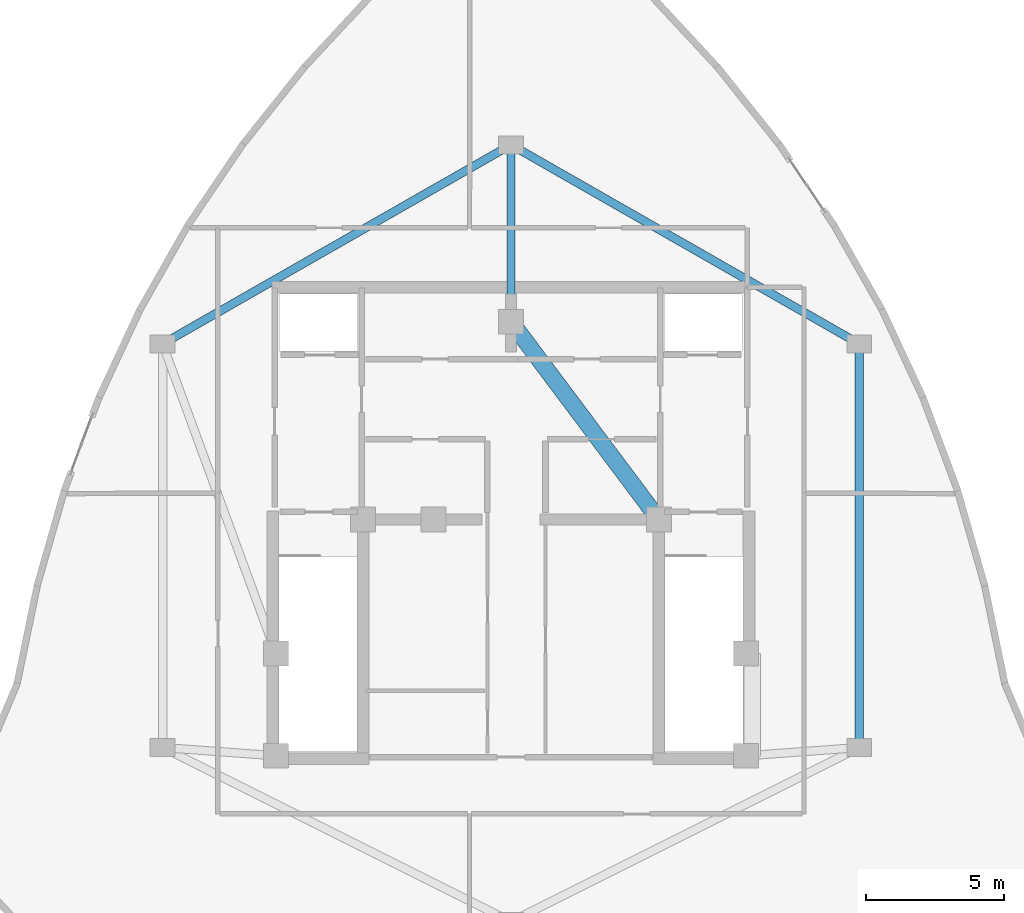
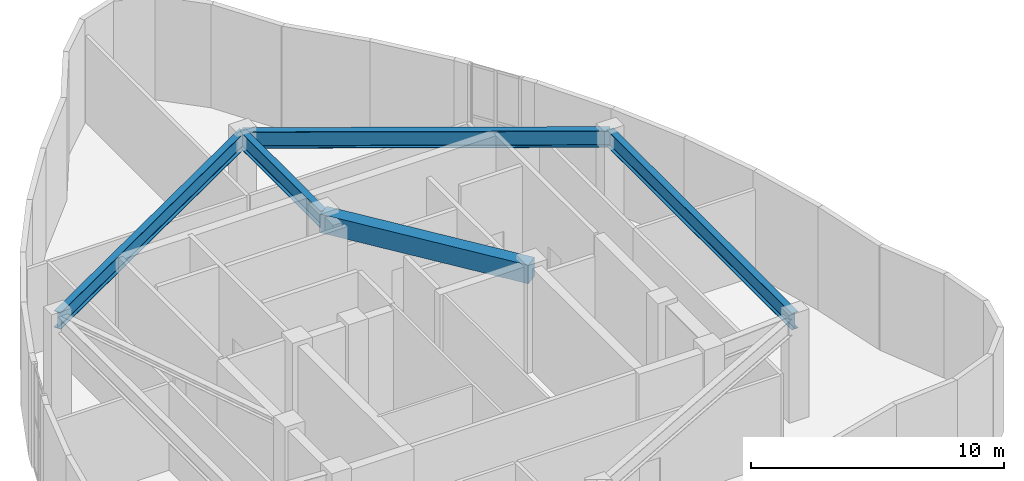
# One storey, part 7 of 12: 5 beams.
"""IFC4 building model written with IfcOpenShell, lengths in metres."""

import ifcopenshell
import ifcopenshell.guid

model = None  # the IFC model being written
_history = None  # IfcOwnerHistory: only IFC2X3 demands one
_inside = {}  # id of a spatial element -> (the spatial element, [elements in it])
_under = {}  # id of a project, library or spatial element -> (it, [spatial elements below it])
_declared = {}  # id of a project -> (the project, [libraries it declares])
_typed = {}  # id of a type object -> (the type object, [elements of that type])
_made_of = {}  # id of a material, layer set ... -> (it, [elements and type objects made of it])


def new_model(schema):
    """Start an empty IFC model of exactly this schema.

    Asked for "IFC4X3", IfcOpenShell would pick the latest addendum, in which some entities
    have other attributes; the version numbers below select the first issue.
    IFC2X3 requires an IfcOwnerHistory on every rooted entity: one is made here for all.
    """
    global model, _history
    if schema == "IFC4X3":
        model = ifcopenshell.file(schema_version=(4, 3, 0, 0))
    else:
        model = ifcopenshell.file(schema=schema)
    _inside.clear()
    _under.clear()
    _declared.clear()
    _typed.clear()
    _made_of.clear()
    _history = None
    if model.schema == "IFC2X3":
        org = make("IfcOrganization", Name="unknown")
        user = make(
            "IfcPersonAndOrganization",
            ThePerson=make("IfcPerson", FamilyName="unknown"),
            TheOrganization=org,
        )
        app = make(
            "IfcApplication",
            ApplicationDeveloper=org,
            Version="unknown",
            ApplicationFullName="unknown",
            ApplicationIdentifier="unknown",
        )
        _history = make(
            "IfcOwnerHistory",
            OwningUser=user,
            OwningApplication=app,
            ChangeAction="ADDED",
            CreationDate=0,
        )
    return model


def make(cls, **values):
    """One entity of the class cls with the attributes given. An attribute that is None is left unset."""
    return model.create_entity(
        cls, **{name: value for name, value in values.items() if value is not None}
    )


def rooted(cls, **values):
    """An entity with a GlobalId (a new one), such as an element, a storey or a relation."""
    return make(cls, GlobalId=ifcopenshell.guid.new(), OwnerHistory=_history, **values)


def si_unit(unit_type, name, prefix=None):
    """IfcSIUnit, for example si_unit("LENGTHUNIT", "METRE", prefix="MILLI")."""
    return make("IfcSIUnit", UnitType=unit_type, Prefix=prefix, Name=name)


def assignment(units):
    """IfcUnitAssignment: the units of a project."""
    return None if units is None else make("IfcUnitAssignment", Units=units)


def point(xyz):
    """IfcCartesianPoint."""
    return None if xyz is None else make("IfcCartesianPoint", Coordinates=xyz)


def direction(xyz):
    """IfcDirection."""
    return None if xyz is None else make("IfcDirection", DirectionRatios=xyz)


def frame(location, z_axis=None, x_axis=None):
    """IfcAxis2Placement3D, a coordinate frame: its origin and axes. An axis left out is left unset."""
    return make(
        "IfcAxis2Placement3D",
        Location=point(location),
        Axis=direction(z_axis),
        RefDirection=direction(x_axis),
    )


def frame_2d(location, x_axis=None):
    """IfcAxis2Placement2D, a coordinate frame in the plane: its origin and x axis."""
    return make(
        "IfcAxis2Placement2D", Location=point(location), RefDirection=direction(x_axis)
    )


def origin():
    """The frame at (0, 0, 0) with its axes left unset."""
    return frame((0.0, 0.0, 0.0))


def origin_2d():
    """The frame at (0, 0) in the plane with its x axis left unset."""
    return frame_2d((0.0, 0.0))


def place(relative_to, where):
    """IfcLocalPlacement: puts the frame where relative to a parent placement (None: the world)."""
    return make(
        "IfcLocalPlacement", PlacementRelTo=relative_to, RelativePlacement=where
    )


def context(
    kind, dimensions, precision=None, world=None, true_north=None, identifier=None
):
    """IfcGeometricRepresentationContext, for example the 3D "Model" context."""
    return make(
        "IfcGeometricRepresentationContext",
        ContextIdentifier=identifier,
        ContextType=kind,
        CoordinateSpaceDimension=dimensions,
        Precision=precision,
        WorldCoordinateSystem=world,
        TrueNorth=true_north,
    )


def subcontext(parent, identifier, kind, view, scale=None):
    """IfcGeometricRepresentationSubContext, for example "Body" below "Model"."""
    return make(
        "IfcGeometricRepresentationSubContext",
        ContextIdentifier=identifier,
        ContextType=kind,
        ParentContext=parent,
        TargetScale=scale,
        TargetView=view,
    )


def project(units=None, contexts=None):
    """IfcProject with its units and contexts."""
    return rooted(
        "IfcProject",
        Name="project",
        RepresentationContexts=contexts,
        UnitsInContext=assignment(units),
    )


def spatial(cls, under=None, at=None, **own):
    """A site, building, storey or space (cls), placed at a placement, below another one or the project."""
    s = rooted(cls, ObjectPlacement=at, **own)
    if under is not None:
        _under.setdefault(under.id(), (under, []))[1].append(s)
    return s


def profile(cls, at=None, kind="AREA", **sizes):
    """A parametric profile (cls). Its sizes go by their IFC names, for example OverallWidth=200.0."""
    return make(cls, ProfileType=kind, Position=at, **sizes)


def rectangle(**sizes):
    """IfcRectangleProfileDef."""
    return profile("IfcRectangleProfileDef", **sizes)


def i_section(**sizes):
    """IfcIShapeProfileDef."""
    return profile("IfcIShapeProfileDef", **sizes)


def extrude(swept, where, along, depth):
    """IfcExtrudedAreaSolid: the profile swept, set in the frame where, extruded along a direction by depth."""
    return make(
        "IfcExtrudedAreaSolid",
        SweptArea=swept,
        Position=where,
        ExtrudedDirection=direction(along),
        Depth=depth,
    )


def shape(context_of_items, identifier, shape_type, items):
    """IfcShapeRepresentation: the items that make up one representation, for example the "Body"."""
    return make(
        "IfcShapeRepresentation",
        ContextOfItems=context_of_items,
        RepresentationIdentifier=identifier,
        RepresentationType=shape_type,
        Items=items,
    )


def material(Name=None, Category=None):
    """IfcMaterial."""
    return make("IfcMaterial", Name=Name, Category=Category)


def material_profile(
    of_material, cross_section, Name=None, Category=None, Priority=None
):
    """IfcMaterialProfile: a cross section and its material."""
    return make(
        "IfcMaterialProfile",
        Name=Name,
        Material=of_material,
        Profile=cross_section,
        Priority=Priority,
        Category=Category,
    )


def profile_set(profiles, Name=None, composite=None):
    """IfcMaterialProfileSet."""
    return make(
        "IfcMaterialProfileSet",
        Name=Name,
        MaterialProfiles=profiles,
        CompositeProfile=composite,
    )


def made_of(thing, what):
    """Note that an element or type object is made of a material, layer set ...; save() writes the relation."""
    if what is not None:
        _made_of.setdefault(what.id(), (what, []))[1].append(thing)
    return thing


def type_object(cls, material=None, **own):
    """A type object (cls), such as IfcWallType, which elements share."""
    return made_of(rooted(cls, **own), material)


def element(
    cls,
    number,
    at=None,
    inside=None,
    cuts=None,
    type_object=None,
    material=None,
    context=None,
    identifier="Body",
    shape_type=None,
    held_by="IfcProductDefinitionShape",
    body=None,
    shapes=None,
    **own,
):
    """One element of the class cls, such as IfcWall. Its Tag is "e" and its number.

    at: its placement. inside: the storey or other place that contains it. cuts: it is an
    opening in that element (IfcRelVoidsElement). A single representation is given by context,
    identifier, shape_type and body (its items); several are given by shapes. held_by: the class
    of the entity that holds the representations. save() writes the other relations.
    """
    e = rooted(cls, Tag="e%d" % number, ObjectPlacement=at, **own)
    if body is not None:
        shapes = [shape(context, identifier, shape_type, body)]
    if shapes is not None:
        e.Representation = make(held_by, Representations=shapes)
    if inside is not None:
        _inside.setdefault(inside.id(), (inside, []))[1].append(e)
    if cuts is not None:
        rooted(
            "IfcRelVoidsElement", RelatingBuildingElement=cuts, RelatedOpeningElement=e
        )
    if type_object is not None:
        _typed.setdefault(type_object.id(), (type_object, []))[1].append(e)
    return made_of(e, material)


def aggregate(whole, parts):
    """IfcRelAggregates: a whole, such as a stair, and the parts it consists of."""
    return rooted("IfcRelAggregates", RelatingObject=whole, RelatedObjects=parts)


def save(model, path):
    """Write the relations noted so far, then the file.

    IfcRelAggregates (storeys below a building ...), IfcRelContainedInSpatialStructure (elements
    in a storey), IfcRelDefinesByType, IfcRelAssociatesMaterial and IfcRelDeclares: one each for
    every whole, place, type object, material and project.
    """
    for whole, parts in _under.values():
        aggregate(whole, parts)
    for where, things in _inside.values():
        rooted(
            "IfcRelContainedInSpatialStructure",
            RelatedElements=things,
            RelatingStructure=where,
        )
    for kind, things in _typed.values():
        rooted("IfcRelDefinesByType", RelatedObjects=things, RelatingType=kind)
    for what, things in _made_of.values():
        rooted("IfcRelAssociatesMaterial", RelatedObjects=things, RelatingMaterial=what)
    for by, libraries in _declared.values():
        rooted("IfcRelDeclares", RelatingContext=by, RelatedDefinitions=libraries)
    model.write(path)


model = new_model("IFC4")

# Units and contexts
model_context = context("Model", 3, precision=1e-05, world=origin(), true_north=direction((0.0, 1.0)))
body_context = subcontext(model_context, "Body", "Model", "MODEL_VIEW")
ifc_project = project(units=[si_unit("LENGTHUNIT", "METRE"), si_unit("AREAUNIT", "SQUARE_METRE"), si_unit("VOLUMEUNIT", "CUBIC_METRE"), si_unit("PLANEANGLEUNIT", "RADIAN"), si_unit("MASSUNIT", "GRAM", prefix="KILO")], contexts=[model_context])

# Site, building, storey
site_placement = place(None, origin())
site = spatial("IfcSite", under=ifc_project, at=site_placement, CompositionType="ELEMENT")
building_placement = place(site_placement, origin())
building = spatial("IfcBuilding", under=site, at=building_placement, Name="Miruveldt Soraemaru", CompositionType="ELEMENT")
storey_placement = place(building_placement, frame((0.0, 0.0, 312.800048828125)))
storey = spatial("IfcBuildingStorey", under=building, at=storey_placement, Name="L82", CompositionType="ELEMENT", Elevation=312.800048828125)

# Beams
ifc_material_1 = material(Name="Concrete C60/75 (60 MPa)", Category="concrete")
ifc_material_profile_1 = material_profile(ifc_material_1, rectangle(XDim=0.60009765625, YDim=0.89990234375, at=origin_2d()), Name="Concrete C60/75 (60 MPa)", Category="concrete")
ifc_profile_set_1 = profile_set([ifc_material_profile_1], Name="Concrete C60/75 (60 MPa)")
beam_type_1 = type_object("IfcBeamType", Name="BM-RC-600x900", PredefinedType="BEAM", material=ifc_profile_set_1)
beam_1_placement = place(storey_placement, frame((49.35009765625, 44.050048828125, 4.5400390625), z_axis=(-0.599116023999, 0.800662219533, 0.0), x_axis=(-0.800662219533, -0.599116023999, 0.0)))
element("IfcBeam", 1, at=beam_1_placement, inside=storey, type_object=beam_type_1, Name="L82 Core Tie Beam 5", PredefinedType="BEAM", context=body_context, shape_type="SweptSolid", body=[
    extrude(rectangle(XDim=0.60009765625, YDim=0.89990234375, at=origin_2d()), origin(), (0.0, 0.0, 1.0), 8.929931640625),
])
ifc_material_2 = material(Name="Steel S460 (460 MPa)", Category="steel")
ifc_material_profile_2 = material_profile(ifc_material_2, i_section(OverallWidth=0.300048828125, OverallDepth=0.800048828125, WebThickness=0.013916015625, FlangeThickness=0.02587890625, FilletRadius=0.028076171875, at=origin_2d()), Name="Steel S460 (460 MPa)", Category="steel")
ifc_profile_set_2 = profile_set([ifc_material_profile_2], Name="Steel S460 (460 MPa)")
beam_type_2 = type_object("IfcBeamType", Name="BM-ST-H800", PredefinedType="BEAM", material=ifc_profile_set_2)
beam_2_placement = place(storey_placement, frame((44.0, 57.60009765625, 4.58984375), z_axis=(0.868239001029, -0.496146185203, 0.0), x_axis=(0.496146185203, 0.868239001029, 0.0)))
element("IfcBeam", 2, at=beam_2_placement, inside=storey, type_object=beam_type_2, Name="L82 Inner Ring Girder 1", PredefinedType="BEAM", context=body_context, shape_type="SweptSolid", body=[
    extrude(i_section(OverallWidth=0.300048828125, OverallDepth=0.800048828125, WebThickness=0.013916015625, FlangeThickness=0.02587890625, FilletRadius=0.028076171875, at=origin_2d()), origin(), (0.0, 0.0, 1.0), 14.51220703125),
])
beam_3_placement = place(storey_placement, frame((44.0, 51.199951171875, 4.58984375), z_axis=(0.0, 1.0, 0.0), x_axis=(-1.0, 0.0, 0.0)))
element("IfcBeam", 3, at=beam_3_placement, inside=storey, type_object=beam_type_2, Name="L82 Core-to-Inner Radial Girder 1", PredefinedType="BEAM", context=body_context, shape_type="SweptSolid", body=[
    extrude(i_section(OverallWidth=0.300048828125, OverallDepth=0.800048828125, WebThickness=0.013916015625, FlangeThickness=0.02587890625, FilletRadius=0.028076171875, at=origin_2d()), origin(), (0.0, 0.0, 1.0), 6.400146484375),
])
beam_4_placement = place(storey_placement, frame((56.60009765625, 50.39990234375, 4.58984375), z_axis=(0.0, -1.0, 0.0), x_axis=(1.0, 0.0, 0.0)))
element("IfcBeam", 4, at=beam_4_placement, inside=storey, type_object=beam_type_2, Name="L82 Inner Ring Girder 2", PredefinedType="BEAM", context=body_context, shape_type="SweptSolid", body=[
    extrude(i_section(OverallWidth=0.300048828125, OverallDepth=0.800048828125, WebThickness=0.013916015625, FlangeThickness=0.02587890625, FilletRadius=0.028076171875, at=origin_2d()), origin(), (0.0, 0.0, 1.0), 14.599853515625),
])
beam_5_placement = place(storey_placement, frame((31.39990234375, 50.39990234375, 4.58984375), z_axis=(0.868239001029, 0.496146185203, 0.0), x_axis=(-0.496146185203, 0.868239001029, 0.0)))
element("IfcBeam", 5, at=beam_5_placement, inside=storey, type_object=beam_type_2, Name="L82 Inner Ring Girder 6", PredefinedType="BEAM", context=body_context, shape_type="SweptSolid", body=[
    extrude(i_section(OverallWidth=0.300048828125, OverallDepth=0.800048828125, WebThickness=0.013916015625, FlangeThickness=0.02587890625, FilletRadius=0.028076171875, at=origin_2d()), origin(), (0.0, 0.0, 1.0), 14.51220703125),
])

save(model, "model.ifc")
